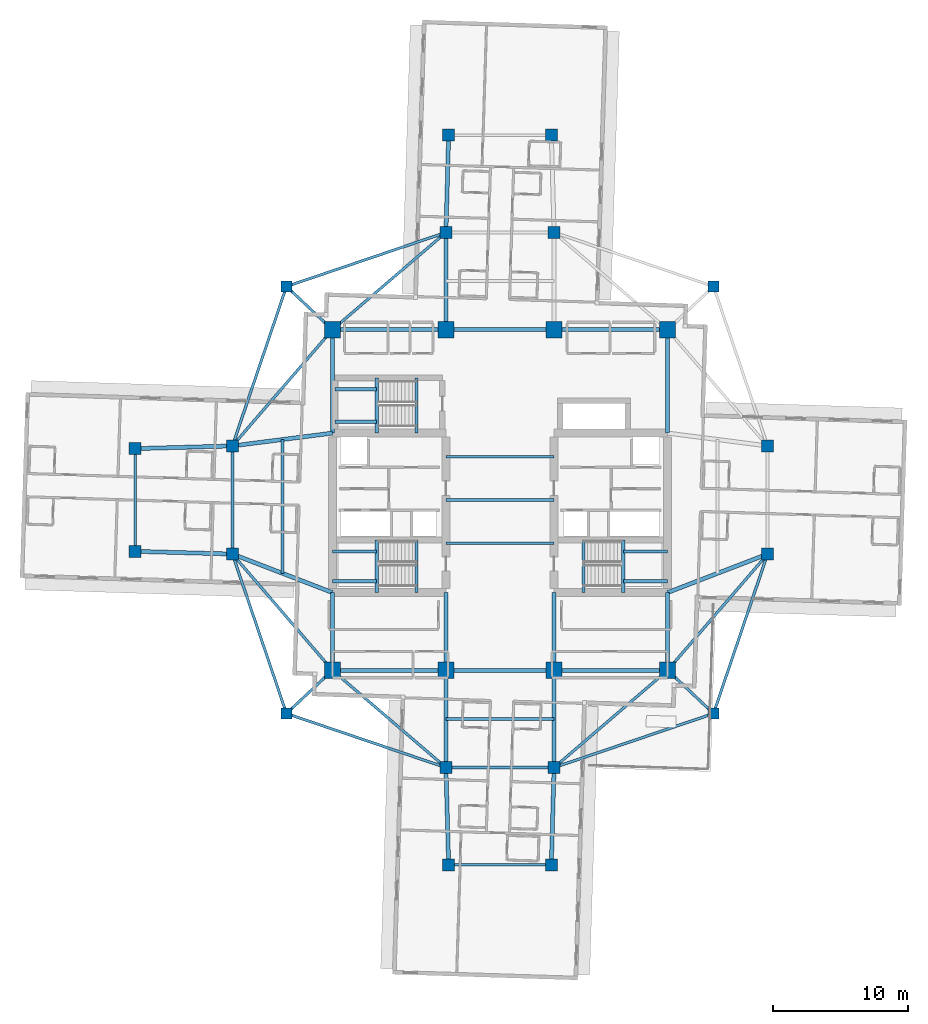
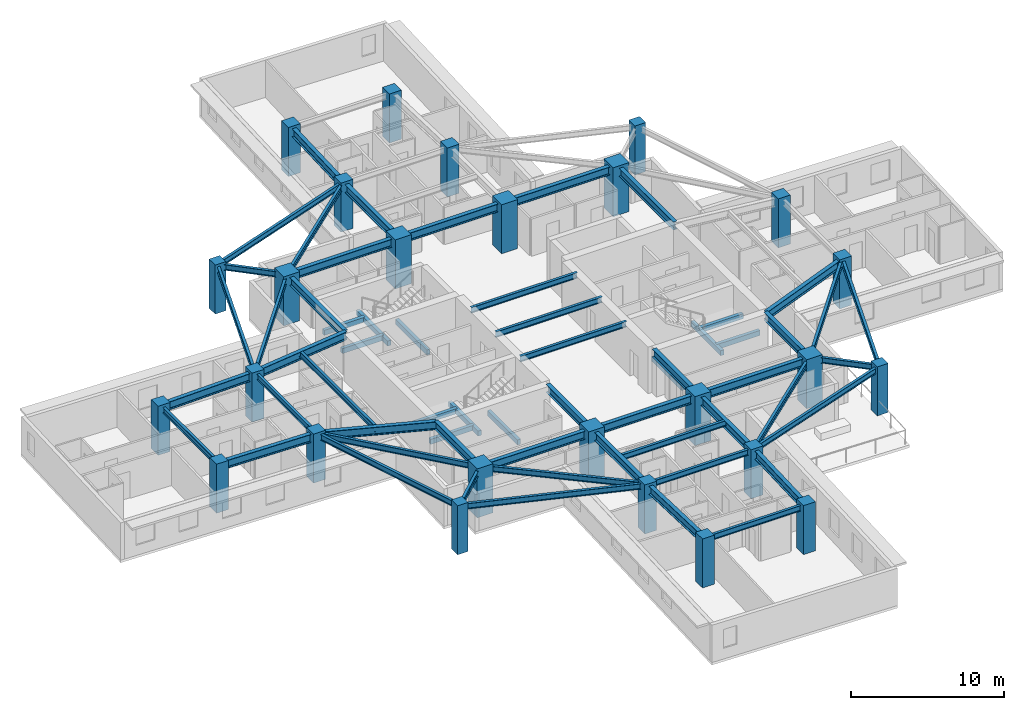
# One storey, part 1 of 14: 59 beams, 26 columns.
"""IFC4 building model written with IfcOpenShell, lengths in metres."""

from ifc_helpers import new_model, si_unit, direction, frame, origin, origin_2d, place, context, subcontext, project, spatial, rectangle, i_section, extrude, material, material_profile, profile_set, type_object, element, save


model = new_model("IFC4")

# Units and contexts
model_context = context("Model", 3, precision=1e-05, world=origin(), true_north=direction((0.0, 1.0)))
body_context = subcontext(model_context, "Body", "Model", "MODEL_VIEW")
ifc_project = project(units=[si_unit("LENGTHUNIT", "METRE"), si_unit("AREAUNIT", "SQUARE_METRE"), si_unit("VOLUMEUNIT", "CUBIC_METRE"), si_unit("PLANEANGLEUNIT", "RADIAN"), si_unit("MASSUNIT", "GRAM", prefix="KILO")], contexts=[model_context])

# Site, building, storey
site_placement = place(None, origin())
site = spatial("IfcSite", under=ifc_project, at=site_placement, CompositionType="ELEMENT")
building_placement = place(site_placement, origin())
building = spatial("IfcBuilding", under=site, at=building_placement, Name="Qingluan Cross Belvedere", CompositionType="ELEMENT")
storey_placement = place(building_placement, frame((0.0, 0.0, 176.10009765625)))
storey = spatial("IfcBuildingStorey", under=building, at=storey_placement, Name="L44", CompositionType="ELEMENT", Elevation=176.10009765625)

# Columns
ifc_material_1 = material(Name="Concrete C60", Category="concrete")
ifc_material_profile_1 = material_profile(ifc_material_1, rectangle(XDim=1.199951171875, YDim=1.199951171875, at=origin_2d()), Name="RC1200x1200")
ifc_profile_set_1 = profile_set([ifc_material_profile_1], Name="Concrete C60")
column_type_1 = type_object("IfcColumnType", Name="Column_RC1200x1200", PredefinedType="COLUMN", material=ifc_profile_set_1)
for number, where, z_axis, x_axis, name in (
    (1, (-12.39990234375, -12.60009765625, 0.0), (0.0, 0.0, 1.0), (1.0, 0.0, 0.0), "Hub column L44-HC1"),
    (2, (12.39990234375, -12.60009765625, 0.0), (0.0, 0.0, 1.0), (1.0, 0.0, 0.0), "Hub column L44-HC2"),
    (3, (12.39990234375, 12.60009765625, 0.0), (0.0, 0.0, 1.0), (1.0, 0.0, 0.0), "Hub column L44-HC3"),
    (4, (-12.39990234375, 12.60009765625, 0.0), (0.0, 0.0, 1.0), (1.0, 0.0, 0.0), "Hub column L44-HC4"),
    (5, (-4.0, -12.60009765625, 0.0), (0.0, 0.0, 1.0), (1.0, 0.0, 0.0), "Hub column L44-HC5"),
    (6, (4.0, -12.60009765625, 0.0), (0.0, 0.0, 1.0), (1.0, 0.0, 0.0), "Hub column L44-HC6"),
    (7, (4.0, 12.60009765625, 0.0), (0.0, 0.0, 1.0), (1.0, 0.0, 0.0), "Hub column L44-HC7"),
    (8, (-4.0, 12.60009765625, 0.0), (0.0, 0.0, 1.0), (1.0, 0.0, 0.0), "Hub column L44-HC8"),
):
    element("IfcColumn", number, at=place(storey_placement, frame(where, z_axis=z_axis, x_axis=x_axis)), inside=storey, type_object=column_type_1, Name=name, PredefinedType="COLUMN", context=body_context, shape_type="SweptSolid", body=[
        extrude(rectangle(XDim=1.199951171875, YDim=1.199951171875, at=origin_2d()), origin(), (0.0, 0.0, 1.0), 3.89990234375),
    ])
ifc_material_2 = material(Name="Concrete C50", Category="concrete")
ifc_material_profile_2 = material_profile(ifc_material_2, rectangle(XDim=0.800048828125, YDim=0.800048828125, at=origin_2d()), Name="RC800x800")
ifc_profile_set_2 = profile_set([ifc_material_profile_2], Name="Concrete C50")
column_type_2 = type_object("IfcColumnType", Name="Column_RC800x800", PredefinedType="COLUMN", material=ifc_profile_set_2)
for number, where, z_axis, x_axis, name in (
    (9, (15.800048828125, 15.800048828125, 0.0), (0.0, 0.0, 1.0), (1.0, 0.0, 0.0), "Corner column L44-RNE"),
    (10, (-15.800048828125, 15.800048828125, 0.0), (0.0, 0.0, 1.0), (1.0, 0.0, 0.0), "Corner column L44-RNW"),
    (11, (-15.800048828125, -15.800048828125, 0.0), (0.0, 0.0, 1.0), (1.0, 0.0, 0.0), "Corner column L44-RSW"),
    (12, (15.800048828125, -15.800048828125, 0.0), (0.0, 0.0, 1.0), (1.0, 0.0, 0.0), "Corner column L44-RSE"),
):
    element("IfcColumn", number, at=place(storey_placement, frame(where, z_axis=z_axis, x_axis=x_axis)), inside=storey, type_object=column_type_2, Name=name, PredefinedType="COLUMN", context=body_context, shape_type="SweptSolid", body=[
        extrude(rectangle(XDim=0.800048828125, YDim=0.800048828125, at=origin_2d()), origin(), (0.0, 0.0, 1.0), 3.89990234375),
    ])
ifc_material_3 = material(Name="Concrete C50", Category="concrete")
ifc_material_profile_3 = material_profile(ifc_material_3, rectangle(XDim=0.89990234375, YDim=0.89990234375, at=origin_2d()), Name="RC900x900")
ifc_profile_set_3 = profile_set([ifc_material_profile_3], Name="Concrete C50")
column_type_3 = type_object("IfcColumnType", Name="Column_RC900x900", PredefinedType="COLUMN", material=ifc_profile_set_3)
for number, where, z_axis, x_axis, name in (
    (13, (19.800048828125, -4.0, 0.0), (0.0, 0.0, 1.0), (1.0, 0.0, 0.0), "Arm column L44-EIA"),
    (14, (19.800048828125, 4.0, 0.0), (0.0, 0.0, 1.0), (1.0, 0.0, 0.0), "Arm column L44-EIB"),
    (15, (-19.800048828125, -4.0, 0.0), (0.0, 0.0, 1.0), (1.0, 0.0, 0.0), "Arm column L44-WIA"),
    (16, (-19.800048828125, 4.0, 0.0), (0.0, 0.0, 1.0), (1.0, 0.0, 0.0), "Arm column L44-WIB"),
    (17, (-4.0, -19.800048828125, 0.0), (0.0, 0.0, 1.0), (1.0, 0.0, 0.0), "Arm column L44-SIA"),
    (18, (4.0, -19.800048828125, 0.0), (0.0, 0.0, 1.0), (1.0, 0.0, 0.0), "Arm column L44-SIB"),
    (19, (-4.0, 19.800048828125, 0.0), (0.0, 0.0, 1.0), (1.0, 0.0, 0.0), "Arm column L44-NIA"),
    (20, (4.0, 19.800048828125, 0.0), (0.0, 0.0, 1.0), (1.0, 0.0, 0.0), "Arm column L44-NIB"),
    (21, (-27.0, -3.800048828125, 0.0), (0.0, 0.0, 1.0), (1.0, 0.0, 0.0), "Arm column L44-WOA"),
    (22, (-27.0, 3.800048828125, 0.0), (0.0, 0.0, 1.0), (1.0, 0.0, 0.0), "Arm column L44-WOB"),
    (23, (-3.800048828125, -27.0, 0.0), (0.0, 0.0, 1.0), (1.0, 0.0, 0.0), "Arm column L44-SOA"),
    (24, (3.800048828125, -27.0, 0.0), (0.0, 0.0, 1.0), (1.0, 0.0, 0.0), "Arm column L44-SOB"),
    (25, (-3.800048828125, 27.0, 0.0), (0.0, 0.0, 1.0), (1.0, 0.0, 0.0), "Arm column L44-NOA"),
    (26, (3.800048828125, 27.0, 0.0), (0.0, 0.0, 1.0), (1.0, 0.0, 0.0), "Arm column L44-NOB"),
):
    element("IfcColumn", number, at=place(storey_placement, frame(where, z_axis=z_axis, x_axis=x_axis)), inside=storey, type_object=column_type_3, Name=name, PredefinedType="COLUMN", context=body_context, shape_type="SweptSolid", body=[
        extrude(rectangle(XDim=0.89990234375, YDim=0.89990234375, at=origin_2d()), origin(), (0.0, 0.0, 1.0), 3.89990234375),
    ])

# Beams
ifc_material_4 = material(Name="Concrete C45", Category="concrete")
ifc_material_profile_4 = material_profile(ifc_material_4, rectangle(XDim=0.25, YDim=0.39990234375, at=origin_2d()), Name="RC250x400")
ifc_profile_set_4 = profile_set([ifc_material_profile_4], Name="Concrete C45")
beam_type_1 = type_object("IfcBeamType", Name="RC_Lintel_RC250x400", PredefinedType="LINTEL", material=ifc_profile_set_4)
for number, where, z_axis, x_axis, name in (
    (27, (-6.179931640625, -6.85009765625, -0.2001953125), (0.0, 1.0, 0.0), (-1.0, 0.0, 0.0), "Stair ST1 landing beam L44"),
    (28, (6.179931640625, -6.85009765625, -0.2001953125), (0.0, 1.0, 0.0), (-1.0, 0.0, 0.0), "Stair ST2 landing beam L44"),
):
    element("IfcBeam", number, at=place(storey_placement, frame(where, z_axis=z_axis, x_axis=x_axis)), inside=storey, type_object=beam_type_1, Name=name, PredefinedType="LINTEL", context=body_context, shape_type="SweptSolid", body=[
        extrude(rectangle(XDim=0.25, YDim=0.39990234375, at=origin_2d()), origin(), (0.0, 0.0, 1.0), 3.89013671875),
    ])
beam_1_placement = place(storey_placement, frame((-6.179931640625, 4.949951171875, -0.2001953125), z_axis=(0.0, 1.0, 0.0), x_axis=(-1.0, 0.0, 0.0)))
element("IfcBeam", 29, at=beam_1_placement, inside=storey, type_object=beam_type_1, Name="Stair ST3 landing beam L44", PredefinedType="LINTEL", context=body_context, shape_type="SweptSolid", body=[
    extrude(rectangle(XDim=0.25, YDim=0.39990234375, at=origin_2d()), origin(), (0.0, 0.0, 1.0), 4.090087890625),
])
beam_2_placement = place(storey_placement, frame((-9.1298828125, -6.85009765625, 1.5498046875), z_axis=(0.0, 1.0, 0.0), x_axis=(-1.0, 0.0, 0.0)))
element("IfcBeam", 30, at=beam_2_placement, inside=storey, type_object=beam_type_1, Name="Stair ST1 beam A L44", PredefinedType="LINTEL", context=body_context, shape_type="SweptSolid", body=[
    extrude(rectangle(XDim=0.25, YDim=0.39990234375, at=origin_2d()), origin(), (0.0, 0.0, 1.0), 3.89013671875),
])
for number, where, z_axis, x_axis, name in (
    (31, (-12.39990234375, -6.0, 1.5498046875), (1.0, 0.0, 0.0), (0.0, 1.0, 0.0), "Stair ST1 beam B L44"),
    (32, (-12.39990234375, -3.81005859375, 1.5498046875), (1.0, 0.0, 0.0), (0.0, 1.0, 0.0), "Stair ST1 beam C L44"),
):
    element("IfcBeam", number, at=place(storey_placement, frame(where, z_axis=z_axis, x_axis=x_axis)), inside=storey, type_object=beam_type_1, Name=name, PredefinedType="LINTEL", context=body_context, shape_type="SweptSolid", body=[
        extrude(rectangle(XDim=0.25, YDim=0.39990234375, at=origin_2d()), origin(), (0.0, 0.0, 1.0), 3.27001953125),
    ])
beam_3_placement = place(storey_placement, frame((9.1298828125, -6.85009765625, 1.5498046875), z_axis=(0.0, 1.0, 0.0), x_axis=(-1.0, 0.0, 0.0)))
element("IfcBeam", 33, at=beam_3_placement, inside=storey, type_object=beam_type_1, Name="Stair ST2 beam A L44", PredefinedType="LINTEL", context=body_context, shape_type="SweptSolid", body=[
    extrude(rectangle(XDim=0.25, YDim=0.39990234375, at=origin_2d()), origin(), (0.0, 0.0, 1.0), 3.89013671875),
])
for number, where, z_axis, x_axis, name in (
    (34, (12.39990234375, -6.0, 1.5498046875), (-1.0, 0.0, 0.0), (0.0, -1.0, 0.0), "Stair ST2 beam B L44"),
    (35, (12.39990234375, -3.81005859375, 1.5498046875), (-1.0, 0.0, 0.0), (0.0, -1.0, 0.0), "Stair ST2 beam C L44"),
):
    element("IfcBeam", number, at=place(storey_placement, frame(where, z_axis=z_axis, x_axis=x_axis)), inside=storey, type_object=beam_type_1, Name=name, PredefinedType="LINTEL", context=body_context, shape_type="SweptSolid", body=[
        extrude(rectangle(XDim=0.25, YDim=0.39990234375, at=origin_2d()), origin(), (0.0, 0.0, 1.0), 3.27001953125),
    ])
beam_4_placement = place(storey_placement, frame((-9.1298828125, 4.949951171875, 1.5498046875), z_axis=(0.0, 1.0, 0.0), x_axis=(-1.0, 0.0, 0.0)))
element("IfcBeam", 36, at=beam_4_placement, inside=storey, type_object=beam_type_1, Name="Stair ST3 beam A L44", PredefinedType="LINTEL", context=body_context, shape_type="SweptSolid", body=[
    extrude(rectangle(XDim=0.25, YDim=0.39990234375, at=origin_2d()), origin(), (0.0, 0.0, 1.0), 4.090087890625),
])
for number, where, z_axis, x_axis, name in (
    (37, (-12.219970703125, 5.800048828125, 1.5498046875), (1.0, 0.0, 0.0), (0.0, 1.0, 0.0), "Stair ST3 beam B L44"),
    (38, (-12.219970703125, 8.18994140625, 1.5498046875), (1.0, 0.0, 0.0), (0.0, 1.0, 0.0), "Stair ST3 beam C L44"),
):
    element("IfcBeam", number, at=place(storey_placement, frame(where, z_axis=z_axis, x_axis=x_axis)), inside=storey, type_object=beam_type_1, Name=name, PredefinedType="LINTEL", context=body_context, shape_type="SweptSolid", body=[
        extrude(rectangle(XDim=0.25, YDim=0.39990234375, at=origin_2d()), origin(), (0.0, 0.0, 1.0), 3.090087890625),
    ])
ifc_material_5 = material(Name="Steel Q420GJB", Category="steel")
ifc_material_profile_5 = material_profile(ifc_material_5, i_section(OverallWidth=0.199951171875, OverallDepth=0.449951171875, WebThickness=0.009033203125, FlangeThickness=0.013916015625, FilletRadius=0.01611328125, at=origin_2d()), Name="HN450x200x9x14")
ifc_profile_set_5 = profile_set([ifc_material_profile_5], Name="Steel Q420GJB")
beam_type_2 = type_object("IfcBeamType", Name="Steel_Beam_HN450x200x9x14", PredefinedType="JOIST", material=ifc_profile_set_5)
beam_5_placement = place(storey_placement, frame((-12.39990234375, 12.60009765625, 3.474853515625), z_axis=(-0.728219948308, 0.685343495546, 0.0), x_axis=(-0.685343495546, -0.728219948308, 0.0)))
element("IfcBeam", 39, at=beam_5_placement, inside=storey, type_object=beam_type_2, Name="Corner beam 1 L44-RNW", PredefinedType="JOIST", context=body_context, shape_type="SweptSolid", body=[
    extrude(i_section(OverallWidth=0.199951171875, OverallDepth=0.449951171875, WebThickness=0.009033203125, FlangeThickness=0.013916015625, FilletRadius=0.01611328125, at=origin_2d()), origin(), (0.0, 0.0, 1.0), 4.669189453125),
])
for number, where, z_axis, x_axis, name in (
    (40, (-15.800048828125, 15.800048828125, 3.474853515625), (0.947066283324, 0.321038089628, 0.0), (-0.321038089628, 0.947066283324, 0.0), "Corner beam 2 L44-RNW"),
    (41, (-15.800048828125, 15.800048828125, 3.474853515625), (-0.321038089628, -0.947066283324, 0.0), (0.947066283324, -0.321038089628, 0.0), "Corner beam 3 L44-RNW"),
):
    element("IfcBeam", number, at=place(storey_placement, frame(where, z_axis=z_axis, x_axis=x_axis)), inside=storey, type_object=beam_type_2, Name=name, PredefinedType="JOIST", context=body_context, shape_type="SweptSolid", body=[
        extrude(i_section(OverallWidth=0.199951171875, OverallDepth=0.449951171875, WebThickness=0.009033203125, FlangeThickness=0.013916015625, FilletRadius=0.01611328125, at=origin_2d()), origin(), (0.0, 0.0, 1.0), 12.45947265625),
    ])
beam_6_placement = place(storey_placement, frame((-12.39990234375, 12.60009765625, 3.474853515625), z_axis=(-0.652245077546, -0.75800815221, 0.0), x_axis=(0.75800815221, -0.652245077546, 0.0)))
element("IfcBeam", 42, at=beam_6_placement, inside=storey, type_object=beam_type_2, Name="Corner beam 4 L44-RNW", PredefinedType="JOIST", context=body_context, shape_type="SweptSolid", body=[
    extrude(i_section(OverallWidth=0.199951171875, OverallDepth=0.449951171875, WebThickness=0.009033203125, FlangeThickness=0.013916015625, FilletRadius=0.01611328125, at=origin_2d()), origin(), (0.0, 0.0, 1.0), 11.345703125),
])
beam_7_placement = place(storey_placement, frame((-12.39990234375, 12.60009765625, 3.474853515625), z_axis=(0.759255044656, 0.650793190779, 0.0), x_axis=(-0.650793190779, 0.759255044656, 0.0)))
element("IfcBeam", 43, at=beam_7_placement, inside=storey, type_object=beam_type_2, Name="Corner beam 5 L44-RNW", PredefinedType="JOIST", context=body_context, shape_type="SweptSolid", body=[
    extrude(i_section(OverallWidth=0.199951171875, OverallDepth=0.449951171875, WebThickness=0.009033203125, FlangeThickness=0.013916015625, FilletRadius=0.01611328125, at=origin_2d()), origin(), (0.0, 0.0, 1.0), 11.063232421875),
])
beam_8_placement = place(storey_placement, frame((-12.39990234375, -12.60009765625, 3.474853515625), z_axis=(-0.728219948308, -0.685343495546, 0.0), x_axis=(0.685343495546, -0.728219948308, 0.0)))
element("IfcBeam", 44, at=beam_8_placement, inside=storey, type_object=beam_type_2, Name="Corner beam 1 L44-RSW", PredefinedType="JOIST", context=body_context, shape_type="SweptSolid", body=[
    extrude(i_section(OverallWidth=0.199951171875, OverallDepth=0.449951171875, WebThickness=0.009033203125, FlangeThickness=0.013916015625, FilletRadius=0.01611328125, at=origin_2d()), origin(), (0.0, 0.0, 1.0), 4.669189453125),
])
for number, where, z_axis, x_axis, name in (
    (45, (-15.800048828125, -15.800048828125, 3.474853515625), (0.947066283324, -0.321038089628, 0.0), (0.321038089628, 0.947066283324, 0.0), "Corner beam 2 L44-RSW"),
    (46, (-15.800048828125, -15.800048828125, 3.474853515625), (-0.321038089628, 0.947066283324, 0.0), (-0.947066283324, -0.321038089628, 0.0), "Corner beam 3 L44-RSW"),
):
    element("IfcBeam", number, at=place(storey_placement, frame(where, z_axis=z_axis, x_axis=x_axis)), inside=storey, type_object=beam_type_2, Name=name, PredefinedType="JOIST", context=body_context, shape_type="SweptSolid", body=[
        extrude(i_section(OverallWidth=0.199951171875, OverallDepth=0.449951171875, WebThickness=0.009033203125, FlangeThickness=0.013916015625, FilletRadius=0.01611328125, at=origin_2d()), origin(), (0.0, 0.0, 1.0), 12.45947265625),
    ])
beam_9_placement = place(storey_placement, frame((-12.39990234375, -12.60009765625, 3.474853515625), z_axis=(-0.652245077546, 0.75800815221, 0.0), x_axis=(-0.75800815221, -0.652245077546, 0.0)))
element("IfcBeam", 47, at=beam_9_placement, inside=storey, type_object=beam_type_2, Name="Corner beam 4 L44-RSW", PredefinedType="JOIST", context=body_context, shape_type="SweptSolid", body=[
    extrude(i_section(OverallWidth=0.199951171875, OverallDepth=0.449951171875, WebThickness=0.009033203125, FlangeThickness=0.013916015625, FilletRadius=0.01611328125, at=origin_2d()), origin(), (0.0, 0.0, 1.0), 11.345703125),
])
beam_10_placement = place(storey_placement, frame((-12.39990234375, -12.60009765625, 3.474853515625), z_axis=(0.759255044656, -0.650793190779, 0.0), x_axis=(0.650793190779, 0.759255044656, 0.0)))
element("IfcBeam", 48, at=beam_10_placement, inside=storey, type_object=beam_type_2, Name="Corner beam 5 L44-RSW", PredefinedType="JOIST", context=body_context, shape_type="SweptSolid", body=[
    extrude(i_section(OverallWidth=0.199951171875, OverallDepth=0.449951171875, WebThickness=0.009033203125, FlangeThickness=0.013916015625, FilletRadius=0.01611328125, at=origin_2d()), origin(), (0.0, 0.0, 1.0), 11.063232421875),
])
beam_11_placement = place(storey_placement, frame((12.39990234375, -12.60009765625, 3.474853515625), z_axis=(0.728219948308, -0.685343495546, 0.0), x_axis=(0.685343495546, 0.728219948308, 0.0)))
element("IfcBeam", 49, at=beam_11_placement, inside=storey, type_object=beam_type_2, Name="Corner beam 1 L44-RSE", PredefinedType="JOIST", context=body_context, shape_type="SweptSolid", body=[
    extrude(i_section(OverallWidth=0.199951171875, OverallDepth=0.449951171875, WebThickness=0.009033203125, FlangeThickness=0.013916015625, FilletRadius=0.01611328125, at=origin_2d()), origin(), (0.0, 0.0, 1.0), 4.669189453125),
])
for number, where, z_axis, x_axis, name in (
    (50, (15.800048828125, -15.800048828125, 3.474853515625), (-0.947066283324, -0.321038089628, 0.0), (0.321038089628, -0.947066283324, 0.0), "Corner beam 2 L44-RSE"),
    (51, (15.800048828125, -15.800048828125, 3.474853515625), (0.321038089628, 0.947066283324, 0.0), (-0.947066283324, 0.321038089628, 0.0), "Corner beam 3 L44-RSE"),
):
    element("IfcBeam", number, at=place(storey_placement, frame(where, z_axis=z_axis, x_axis=x_axis)), inside=storey, type_object=beam_type_2, Name=name, PredefinedType="JOIST", context=body_context, shape_type="SweptSolid", body=[
        extrude(i_section(OverallWidth=0.199951171875, OverallDepth=0.449951171875, WebThickness=0.009033203125, FlangeThickness=0.013916015625, FilletRadius=0.01611328125, at=origin_2d()), origin(), (0.0, 0.0, 1.0), 12.45947265625),
    ])
beam_12_placement = place(storey_placement, frame((12.39990234375, -12.60009765625, 3.474853515625), z_axis=(0.652245077546, 0.75800815221, 0.0), x_axis=(-0.75800815221, 0.652245077546, 0.0)))
element("IfcBeam", 52, at=beam_12_placement, inside=storey, type_object=beam_type_2, Name="Corner beam 4 L44-RSE", PredefinedType="JOIST", context=body_context, shape_type="SweptSolid", body=[
    extrude(i_section(OverallWidth=0.199951171875, OverallDepth=0.449951171875, WebThickness=0.009033203125, FlangeThickness=0.013916015625, FilletRadius=0.01611328125, at=origin_2d()), origin(), (0.0, 0.0, 1.0), 11.345703125),
])
beam_13_placement = place(storey_placement, frame((12.39990234375, -12.60009765625, 3.474853515625), z_axis=(-0.759255044656, -0.650793190779, 0.0), x_axis=(0.650793190779, -0.759255044656, 0.0)))
element("IfcBeam", 53, at=beam_13_placement, inside=storey, type_object=beam_type_2, Name="Corner beam 5 L44-RSE", PredefinedType="JOIST", context=body_context, shape_type="SweptSolid", body=[
    extrude(i_section(OverallWidth=0.199951171875, OverallDepth=0.449951171875, WebThickness=0.009033203125, FlangeThickness=0.013916015625, FilletRadius=0.01611328125, at=origin_2d()), origin(), (0.0, 0.0, 1.0), 11.063232421875),
])
for number, where, z_axis, x_axis, name in (
    (54, (-4.0, -3.199951171875, 3.474853515625), (1.0, 0.0, 0.0), (0.0, 1.0, 0.0), "Hall beam L44-CH1"),
    (55, (-4.0, 0.0, 3.474853515625), (1.0, 0.0, 0.0), (0.0, 1.0, 0.0), "Hall beam L44-CH2"),
    (56, (-4.0, 3.199951171875, 3.474853515625), (1.0, 0.0, 0.0), (0.0, 1.0, 0.0), "Hall beam L44-CH3"),
    (57, (-19.800048828125, -4.0, 3.474853515625), (0.0, 1.0, 0.0), (-1.0, 0.0, 0.0), "Arm W tie L44"),
):
    element("IfcBeam", number, at=place(storey_placement, frame(where, z_axis=z_axis, x_axis=x_axis)), inside=storey, type_object=beam_type_2, Name=name, PredefinedType="JOIST", context=body_context, shape_type="SweptSolid", body=[
        extrude(i_section(OverallWidth=0.199951171875, OverallDepth=0.449951171875, WebThickness=0.009033203125, FlangeThickness=0.013916015625, FilletRadius=0.01611328125, at=origin_2d()), origin(), (0.0, 0.0, 1.0), 8.0),
    ])
beam_14_placement = place(storey_placement, frame((-16.10009765625, -5.425048828125, 3.474853515625), z_axis=(0.0, 1.0, 0.0), x_axis=(-1.0, 0.0, 0.0)))
element("IfcBeam", 58, at=beam_14_placement, inside=storey, type_object=beam_type_2, Name="Arm W beam L44", PredefinedType="JOIST", context=body_context, shape_type="SweptSolid", body=[
    extrude(i_section(OverallWidth=0.199951171875, OverallDepth=0.449951171875, WebThickness=0.009033203125, FlangeThickness=0.013916015625, FilletRadius=0.01611328125, at=origin_2d()), origin(), (0.0, 0.0, 1.0), 9.900146484375),
])
beam_15_placement = place(storey_placement, frame((-27.0, -3.800048828125, 3.474853515625), z_axis=(0.0, 1.0, 0.0), x_axis=(-1.0, 0.0, 0.0)))
element("IfcBeam", 59, at=beam_15_placement, inside=storey, type_object=beam_type_2, Name="Arm W tip transverse beam L44", PredefinedType="JOIST", context=body_context, shape_type="SweptSolid", body=[
    extrude(i_section(OverallWidth=0.199951171875, OverallDepth=0.449951171875, WebThickness=0.009033203125, FlangeThickness=0.013916015625, FilletRadius=0.01611328125, at=origin_2d()), origin(), (0.0, 0.0, 1.0), 7.60009765625),
])
for number, where, z_axis, x_axis, name in (
    (60, (-4.0, -19.800048828125, 3.474853515625), (1.0, 0.0, 0.0), (0.0, 1.0, 0.0), "Arm S tie L44"),
    (61, (-4.0, -16.199951171875, 3.474853515625), (1.0, 0.0, 0.0), (0.0, 1.0, 0.0), "Arm S beam L44"),
):
    element("IfcBeam", number, at=place(storey_placement, frame(where, z_axis=z_axis, x_axis=x_axis)), inside=storey, type_object=beam_type_2, Name=name, PredefinedType="JOIST", context=body_context, shape_type="SweptSolid", body=[
        extrude(i_section(OverallWidth=0.199951171875, OverallDepth=0.449951171875, WebThickness=0.009033203125, FlangeThickness=0.013916015625, FilletRadius=0.01611328125, at=origin_2d()), origin(), (0.0, 0.0, 1.0), 8.0),
    ])
beam_16_placement = place(storey_placement, frame((-3.800048828125, -27.0, 3.474853515625), z_axis=(1.0, 0.0, 0.0), x_axis=(0.0, 1.0, 0.0)))
element("IfcBeam", 62, at=beam_16_placement, inside=storey, type_object=beam_type_2, Name="Arm S tip transverse beam L44", PredefinedType="JOIST", context=body_context, shape_type="SweptSolid", body=[
    extrude(i_section(OverallWidth=0.199951171875, OverallDepth=0.449951171875, WebThickness=0.009033203125, FlangeThickness=0.013916015625, FilletRadius=0.01611328125, at=origin_2d()), origin(), (0.0, 0.0, 1.0), 7.60009765625),
])
ifc_material_6 = material(Name="Steel Q420GJB", Category="steel")
ifc_material_profile_6 = material_profile(ifc_material_6, i_section(OverallWidth=0.300048828125, OverallDepth=0.64990234375, WebThickness=0.014404296875, FlangeThickness=0.02587890625, FilletRadius=0.027099609375, at=origin_2d()), Name="HEB650")
ifc_profile_set_6 = profile_set([ifc_material_profile_6], Name="Steel Q420GJB")
beam_type_3 = type_object("IfcBeamType", Name="Steel_Girder_HEB650", PredefinedType="USERDEFINED", material=ifc_profile_set_6)
beam_17_placement = place(storey_placement, frame((-12.39990234375, -12.60009765625, 3.375), z_axis=(1.0, 0.0, 0.0), x_axis=(0.0, 1.0, 0.0)))
element("IfcBeam", 63, at=beam_17_placement, inside=storey, type_object=beam_type_3, Name="Hub girder L44-HG-S1", ObjectType="GIRDER", PredefinedType="USERDEFINED", context=body_context, shape_type="SweptSolid", body=[
    extrude(i_section(OverallWidth=0.300048828125, OverallDepth=0.64990234375, WebThickness=0.014404296875, FlangeThickness=0.02587890625, FilletRadius=0.027099609375, at=origin_2d()), origin(), (0.0, 0.0, 1.0), 8.39990234375),
])
beam_18_placement = place(storey_placement, frame((-4.0, -12.60009765625, 3.375), z_axis=(1.0, 0.0, 0.0), x_axis=(0.0, 1.0, 0.0)))
element("IfcBeam", 64, at=beam_18_placement, inside=storey, type_object=beam_type_3, Name="Hub girder L44-HG-S2", ObjectType="GIRDER", PredefinedType="USERDEFINED", context=body_context, shape_type="SweptSolid", body=[
    extrude(i_section(OverallWidth=0.300048828125, OverallDepth=0.64990234375, WebThickness=0.014404296875, FlangeThickness=0.02587890625, FilletRadius=0.027099609375, at=origin_2d()), origin(), (0.0, 0.0, 1.0), 8.0),
])
for number, where, z_axis, x_axis, name in (
    (65, (4.0, -12.60009765625, 3.375), (1.0, 0.0, 0.0), (0.0, 1.0, 0.0), "Hub girder L44-HG-S3"),
    (66, (-12.39990234375, 12.60009765625, 3.375), (1.0, 0.0, 0.0), (0.0, 1.0, 0.0), "Hub girder L44-HG-N1"),
):
    element("IfcBeam", number, at=place(storey_placement, frame(where, z_axis=z_axis, x_axis=x_axis)), inside=storey, type_object=beam_type_3, Name=name, ObjectType="GIRDER", PredefinedType="USERDEFINED", context=body_context, shape_type="SweptSolid", body=[
        extrude(i_section(OverallWidth=0.300048828125, OverallDepth=0.64990234375, WebThickness=0.014404296875, FlangeThickness=0.02587890625, FilletRadius=0.027099609375, at=origin_2d()), origin(), (0.0, 0.0, 1.0), 8.39990234375),
    ])
beam_19_placement = place(storey_placement, frame((-4.0, 12.60009765625, 3.375), z_axis=(1.0, 0.0, 0.0), x_axis=(0.0, 1.0, 0.0)))
element("IfcBeam", 67, at=beam_19_placement, inside=storey, type_object=beam_type_3, Name="Hub girder L44-HG-N2", ObjectType="GIRDER", PredefinedType="USERDEFINED", context=body_context, shape_type="SweptSolid", body=[
    extrude(i_section(OverallWidth=0.300048828125, OverallDepth=0.64990234375, WebThickness=0.014404296875, FlangeThickness=0.02587890625, FilletRadius=0.027099609375, at=origin_2d()), origin(), (0.0, 0.0, 1.0), 8.0),
])
beam_20_placement = place(storey_placement, frame((4.0, 12.60009765625, 3.375), z_axis=(1.0, 0.0, 0.0), x_axis=(0.0, 1.0, 0.0)))
element("IfcBeam", 68, at=beam_20_placement, inside=storey, type_object=beam_type_3, Name="Hub girder L44-HG-N3", ObjectType="GIRDER", PredefinedType="USERDEFINED", context=body_context, shape_type="SweptSolid", body=[
    extrude(i_section(OverallWidth=0.300048828125, OverallDepth=0.64990234375, WebThickness=0.014404296875, FlangeThickness=0.02587890625, FilletRadius=0.027099609375, at=origin_2d()), origin(), (0.0, 0.0, 1.0), 8.39990234375),
])
beam_21_placement = place(storey_placement, frame((-12.39990234375, -12.60009765625, 3.375), z_axis=(0.0, 1.0, 0.0), x_axis=(-1.0, 0.0, 0.0)))
element("IfcBeam", 69, at=beam_21_placement, inside=storey, type_object=beam_type_3, Name="Hub girder L44-HG-W1", ObjectType="GIRDER", PredefinedType="USERDEFINED", context=body_context, shape_type="SweptSolid", body=[
    extrude(i_section(OverallWidth=0.300048828125, OverallDepth=0.64990234375, WebThickness=0.014404296875, FlangeThickness=0.02587890625, FilletRadius=0.027099609375, at=origin_2d()), origin(), (0.0, 0.0, 1.0), 5.75),
])
beam_22_placement = place(storey_placement, frame((-12.39990234375, 4.949951171875, 3.375), z_axis=(0.0, 1.0, 0.0), x_axis=(-1.0, 0.0, 0.0)))
element("IfcBeam", 70, at=beam_22_placement, inside=storey, type_object=beam_type_3, Name="Hub girder L44-HG-W2", ObjectType="GIRDER", PredefinedType="USERDEFINED", context=body_context, shape_type="SweptSolid", body=[
    extrude(i_section(OverallWidth=0.300048828125, OverallDepth=0.64990234375, WebThickness=0.014404296875, FlangeThickness=0.02587890625, FilletRadius=0.027099609375, at=origin_2d()), origin(), (0.0, 0.0, 1.0), 7.650146484375),
])
beam_23_placement = place(storey_placement, frame((12.39990234375, -12.60009765625, 3.375), z_axis=(0.0, 1.0, 0.0), x_axis=(-1.0, 0.0, 0.0)))
element("IfcBeam", 71, at=beam_23_placement, inside=storey, type_object=beam_type_3, Name="Hub girder L44-HG-E1", ObjectType="GIRDER", PredefinedType="USERDEFINED", context=body_context, shape_type="SweptSolid", body=[
    extrude(i_section(OverallWidth=0.300048828125, OverallDepth=0.64990234375, WebThickness=0.014404296875, FlangeThickness=0.02587890625, FilletRadius=0.027099609375, at=origin_2d()), origin(), (0.0, 0.0, 1.0), 5.75),
])
beam_24_placement = place(storey_placement, frame((12.39990234375, 4.949951171875, 3.375), z_axis=(0.0, 1.0, 0.0), x_axis=(-1.0, 0.0, 0.0)))
element("IfcBeam", 72, at=beam_24_placement, inside=storey, type_object=beam_type_3, Name="Hub girder L44-HG-E2", ObjectType="GIRDER", PredefinedType="USERDEFINED", context=body_context, shape_type="SweptSolid", body=[
    extrude(i_section(OverallWidth=0.300048828125, OverallDepth=0.64990234375, WebThickness=0.014404296875, FlangeThickness=0.02587890625, FilletRadius=0.027099609375, at=origin_2d()), origin(), (0.0, 0.0, 1.0), 7.650146484375),
])
for number, where, z_axis, x_axis, name in (
    (73, (-4.0, -12.60009765625, 3.375), (0.0, 1.0, 0.0), (-1.0, 0.0, 0.0), "Hub girder L44-HG-CW"),
    (74, (4.0, -12.60009765625, 3.375), (0.0, 1.0, 0.0), (-1.0, 0.0, 0.0), "Hub girder L44-HG-CE"),
):
    element("IfcBeam", number, at=place(storey_placement, frame(where, z_axis=z_axis, x_axis=x_axis)), inside=storey, type_object=beam_type_3, Name=name, ObjectType="GIRDER", PredefinedType="USERDEFINED", context=body_context, shape_type="SweptSolid", body=[
        extrude(i_section(OverallWidth=0.300048828125, OverallDepth=0.64990234375, WebThickness=0.014404296875, FlangeThickness=0.02587890625, FilletRadius=0.027099609375, at=origin_2d()), origin(), (0.0, 0.0, 1.0), 5.75),
    ])
for number, where, z_axis, x_axis, name in (
    (75, (12.39990234375, -6.85009765625, 3.375), (0.933181258889, 0.359406090735, 0.0), (-0.359406090735, 0.933181258889, 0.0), "Arm E radial girder A L44"),
    (76, (-12.39990234375, -6.85009765625, 3.375), (-0.933181258889, 0.359406090735, 0.0), (-0.359406090735, -0.933181258889, 0.0), "Arm W radial girder A L44"),
):
    element("IfcBeam", number, at=place(storey_placement, frame(where, z_axis=z_axis, x_axis=x_axis)), inside=storey, type_object=beam_type_3, Name=name, ObjectType="GIRDER", PredefinedType="USERDEFINED", context=body_context, shape_type="SweptSolid", body=[
        extrude(i_section(OverallWidth=0.300048828125, OverallDepth=0.64990234375, WebThickness=0.014404296875, FlangeThickness=0.02587890625, FilletRadius=0.027099609375, at=origin_2d()), origin(), (0.0, 0.0, 1.0), 7.929931640625),
    ])
beam_25_placement = place(storey_placement, frame((-12.39990234375, 4.949951171875, 3.375), z_axis=(-0.991861120628, -0.12732445714, 0.0), x_axis=(0.12732445714, -0.991861120628, 0.0)))
element("IfcBeam", 77, at=beam_25_placement, inside=storey, type_object=beam_type_3, Name="Arm W radial girder B L44", ObjectType="GIRDER", PredefinedType="USERDEFINED", context=body_context, shape_type="SweptSolid", body=[
    extrude(i_section(OverallWidth=0.300048828125, OverallDepth=0.64990234375, WebThickness=0.014404296875, FlangeThickness=0.02587890625, FilletRadius=0.027099609375, at=origin_2d()), origin(), (0.0, 0.0, 1.0), 7.4609375),
])
for number, where, z_axis, x_axis, name in (
    (78, (-19.800048828125, -4.0, 3.375), (-0.999614603568, 0.027760481514, 0.0), (-0.027760481514, -0.999614603568, 0.0), "Arm W outer radial girder A L44"),
    (79, (-19.800048828125, 4.0, 3.375), (-0.999614603568, -0.027760481514, 0.0), (0.027760481514, -0.999614603568, 0.0), "Arm W outer radial girder B L44"),
):
    element("IfcBeam", number, at=place(storey_placement, frame(where, z_axis=z_axis, x_axis=x_axis)), inside=storey, type_object=beam_type_3, Name=name, ObjectType="GIRDER", PredefinedType="USERDEFINED", context=body_context, shape_type="SweptSolid", body=[
        extrude(i_section(OverallWidth=0.300048828125, OverallDepth=0.64990234375, WebThickness=0.014404296875, FlangeThickness=0.02587890625, FilletRadius=0.027099609375, at=origin_2d()), origin(), (0.0, 0.0, 1.0), 7.20263671875),
    ])
beam_26_placement = place(storey_placement, frame((-4.0, 12.60009765625, 3.375), z_axis=(0.0, 1.0, 0.0), x_axis=(-1.0, 0.0, 0.0)))
element("IfcBeam", 80, at=beam_26_placement, inside=storey, type_object=beam_type_3, Name="Arm N radial girder A L44", ObjectType="GIRDER", PredefinedType="USERDEFINED", context=body_context, shape_type="SweptSolid", body=[
    extrude(i_section(OverallWidth=0.300048828125, OverallDepth=0.64990234375, WebThickness=0.014404296875, FlangeThickness=0.02587890625, FilletRadius=0.027099609375, at=origin_2d()), origin(), (0.0, 0.0, 1.0), 7.199951171875),
])
beam_27_placement = place(storey_placement, frame((-4.0, 19.800048828125, 3.375), z_axis=(0.027760481514, 0.999614603568, 0.0), x_axis=(-0.999614603568, 0.027760481514, 0.0)))
element("IfcBeam", 81, at=beam_27_placement, inside=storey, type_object=beam_type_3, Name="Arm N outer radial girder A L44", ObjectType="GIRDER", PredefinedType="USERDEFINED", context=body_context, shape_type="SweptSolid", body=[
    extrude(i_section(OverallWidth=0.300048828125, OverallDepth=0.64990234375, WebThickness=0.014404296875, FlangeThickness=0.02587890625, FilletRadius=0.027099609375, at=origin_2d()), origin(), (0.0, 0.0, 1.0), 7.20263671875),
])
for number, where, z_axis, x_axis, name in (
    (82, (-4.0, -12.60009765625, 3.375), (0.0, -1.0, 0.0), (1.0, 0.0, 0.0), "Arm S radial girder A L44"),
    (83, (4.0, -12.60009765625, 3.375), (0.0, -1.0, 0.0), (1.0, 0.0, 0.0), "Arm S radial girder B L44"),
):
    element("IfcBeam", number, at=place(storey_placement, frame(where, z_axis=z_axis, x_axis=x_axis)), inside=storey, type_object=beam_type_3, Name=name, ObjectType="GIRDER", PredefinedType="USERDEFINED", context=body_context, shape_type="SweptSolid", body=[
        extrude(i_section(OverallWidth=0.300048828125, OverallDepth=0.64990234375, WebThickness=0.014404296875, FlangeThickness=0.02587890625, FilletRadius=0.027099609375, at=origin_2d()), origin(), (0.0, 0.0, 1.0), 7.199951171875),
    ])
for number, where, z_axis, x_axis, name in (
    (84, (-4.0, -19.800048828125, 3.375), (0.027760481514, -0.999614603568, 0.0), (0.999614603568, 0.027760481514, 0.0), "Arm S outer radial girder A L44"),
    (85, (4.0, -19.800048828125, 3.375), (-0.027760481514, -0.999614603568, 0.0), (0.999614603568, -0.027760481514, 0.0), "Arm S outer radial girder B L44"),
):
    element("IfcBeam", number, at=place(storey_placement, frame(where, z_axis=z_axis, x_axis=x_axis)), inside=storey, type_object=beam_type_3, Name=name, ObjectType="GIRDER", PredefinedType="USERDEFINED", context=body_context, shape_type="SweptSolid", body=[
        extrude(i_section(OverallWidth=0.300048828125, OverallDepth=0.64990234375, WebThickness=0.014404296875, FlangeThickness=0.02587890625, FilletRadius=0.027099609375, at=origin_2d()), origin(), (0.0, 0.0, 1.0), 7.20263671875),
    ])

save(model, "model.ifc")
